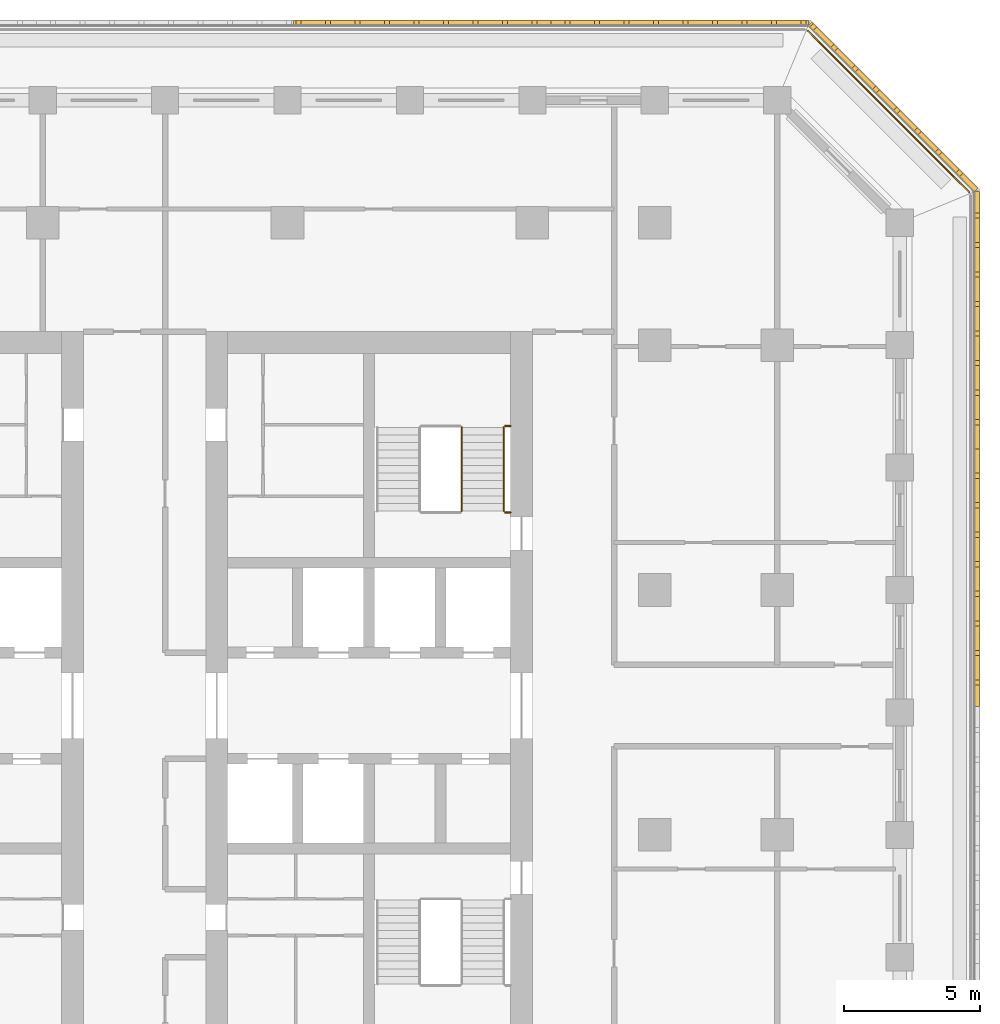
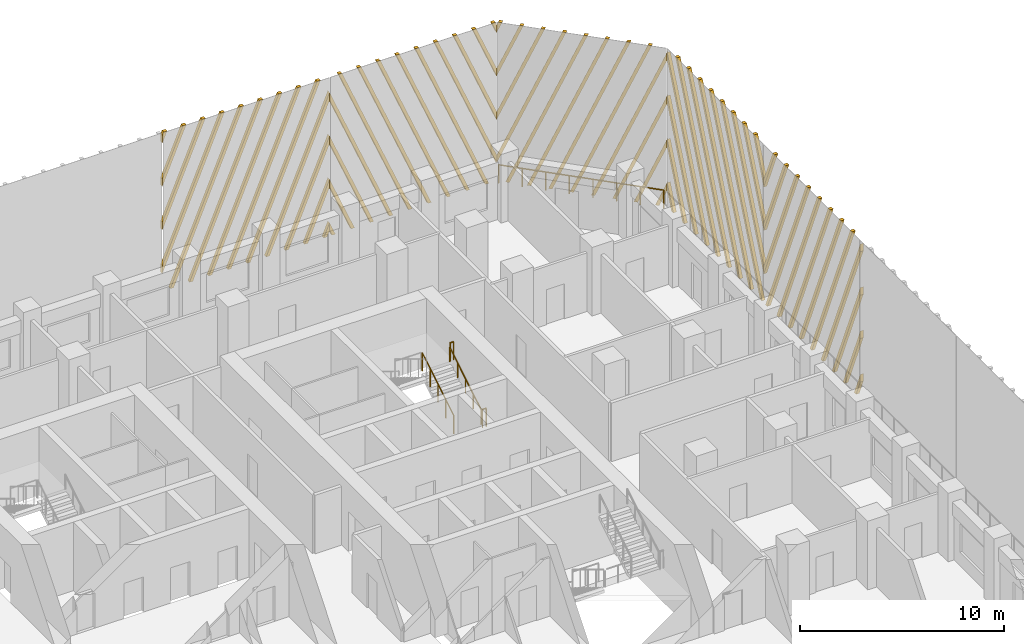
# One storey, part 16 of 17: 5 railings, 5 shading devices.
"""IFC4 building model written with IfcOpenShell, lengths in metres."""

import ifcopenshell
import ifcopenshell.guid

model = None  # the IFC model being written
_history = None  # IfcOwnerHistory: only IFC2X3 demands one
_inside = {}  # id of a spatial element -> (the spatial element, [elements in it])
_under = {}  # id of a project, library or spatial element -> (it, [spatial elements below it])
_declared = {}  # id of a project -> (the project, [libraries it declares])
_typed = {}  # id of a type object -> (the type object, [elements of that type])
_made_of = {}  # id of a material, layer set ... -> (it, [elements and type objects made of it])


def new_model(schema):
    """Start an empty IFC model of exactly this schema.

    Asked for "IFC4X3", IfcOpenShell would pick the latest addendum, in which some entities
    have other attributes; the version numbers below select the first issue.
    IFC2X3 requires an IfcOwnerHistory on every rooted entity: one is made here for all.
    """
    global model, _history
    if schema == "IFC4X3":
        model = ifcopenshell.file(schema_version=(4, 3, 0, 0))
    else:
        model = ifcopenshell.file(schema=schema)
    _inside.clear()
    _under.clear()
    _declared.clear()
    _typed.clear()
    _made_of.clear()
    _history = None
    if model.schema == "IFC2X3":
        org = make("IfcOrganization", Name="unknown")
        user = make(
            "IfcPersonAndOrganization",
            ThePerson=make("IfcPerson", FamilyName="unknown"),
            TheOrganization=org,
        )
        app = make(
            "IfcApplication",
            ApplicationDeveloper=org,
            Version="unknown",
            ApplicationFullName="unknown",
            ApplicationIdentifier="unknown",
        )
        _history = make(
            "IfcOwnerHistory",
            OwningUser=user,
            OwningApplication=app,
            ChangeAction="ADDED",
            CreationDate=0,
        )
    return model


def make(cls, **values):
    """One entity of the class cls with the attributes given. An attribute that is None is left unset."""
    return model.create_entity(
        cls, **{name: value for name, value in values.items() if value is not None}
    )


def rooted(cls, **values):
    """An entity with a GlobalId (a new one), such as an element, a storey or a relation."""
    return make(cls, GlobalId=ifcopenshell.guid.new(), OwnerHistory=_history, **values)


def si_unit(unit_type, name, prefix=None):
    """IfcSIUnit, for example si_unit("LENGTHUNIT", "METRE", prefix="MILLI")."""
    return make("IfcSIUnit", UnitType=unit_type, Prefix=prefix, Name=name)


def assignment(units):
    """IfcUnitAssignment: the units of a project."""
    return None if units is None else make("IfcUnitAssignment", Units=units)


def point(xyz):
    """IfcCartesianPoint."""
    return None if xyz is None else make("IfcCartesianPoint", Coordinates=xyz)


def direction(xyz):
    """IfcDirection."""
    return None if xyz is None else make("IfcDirection", DirectionRatios=xyz)


def frame(location, z_axis=None, x_axis=None):
    """IfcAxis2Placement3D, a coordinate frame: its origin and axes. An axis left out is left unset."""
    return make(
        "IfcAxis2Placement3D",
        Location=point(location),
        Axis=direction(z_axis),
        RefDirection=direction(x_axis),
    )


def frame_2d(location, x_axis=None):
    """IfcAxis2Placement2D, a coordinate frame in the plane: its origin and x axis."""
    return make(
        "IfcAxis2Placement2D", Location=point(location), RefDirection=direction(x_axis)
    )


def origin():
    """The frame at (0, 0, 0) with its axes left unset."""
    return frame((0.0, 0.0, 0.0))


def origin_2d():
    """The frame at (0, 0) in the plane with its x axis left unset."""
    return frame_2d((0.0, 0.0))


def place(relative_to, where):
    """IfcLocalPlacement: puts the frame where relative to a parent placement (None: the world)."""
    return make(
        "IfcLocalPlacement", PlacementRelTo=relative_to, RelativePlacement=where
    )


def context(
    kind, dimensions, precision=None, world=None, true_north=None, identifier=None
):
    """IfcGeometricRepresentationContext, for example the 3D "Model" context."""
    return make(
        "IfcGeometricRepresentationContext",
        ContextIdentifier=identifier,
        ContextType=kind,
        CoordinateSpaceDimension=dimensions,
        Precision=precision,
        WorldCoordinateSystem=world,
        TrueNorth=true_north,
    )


def subcontext(parent, identifier, kind, view, scale=None):
    """IfcGeometricRepresentationSubContext, for example "Body" below "Model"."""
    return make(
        "IfcGeometricRepresentationSubContext",
        ContextIdentifier=identifier,
        ContextType=kind,
        ParentContext=parent,
        TargetScale=scale,
        TargetView=view,
    )


def project(units=None, contexts=None):
    """IfcProject with its units and contexts."""
    return rooted(
        "IfcProject",
        Name="project",
        RepresentationContexts=contexts,
        UnitsInContext=assignment(units),
    )


def spatial(cls, under=None, at=None, **own):
    """A site, building, storey or space (cls), placed at a placement, below another one or the project."""
    s = rooted(cls, ObjectPlacement=at, **own)
    if under is not None:
        _under.setdefault(under.id(), (under, []))[1].append(s)
    return s


def polyline(points):
    """IfcPolyline through the points."""
    return make("IfcPolyline", Points=[point(p) for p in points])


def profile(cls, at=None, kind="AREA", **sizes):
    """A parametric profile (cls). Its sizes go by their IFC names, for example OverallWidth=200.0."""
    return make(cls, ProfileType=kind, Position=at, **sizes)


def circle(**sizes):
    """IfcCircleProfileDef."""
    return profile("IfcCircleProfileDef", **sizes)


def outline(outer, holes=None, kind="AREA"):
    """IfcArbitraryClosedProfileDef: a profile drawn as a closed curve; with holes, ...WithVoids."""
    if holes is None:
        return make("IfcArbitraryClosedProfileDef", ProfileType=kind, OuterCurve=outer)
    return make(
        "IfcArbitraryProfileDefWithVoids",
        ProfileType=kind,
        OuterCurve=outer,
        InnerCurves=holes,
    )


def extrude(swept, where, along, depth):
    """IfcExtrudedAreaSolid: the profile swept, set in the frame where, extruded along a direction by depth."""
    return make(
        "IfcExtrudedAreaSolid",
        SweptArea=swept,
        Position=where,
        ExtrudedDirection=direction(along),
        Depth=depth,
    )


def shape(context_of_items, identifier, shape_type, items):
    """IfcShapeRepresentation: the items that make up one representation, for example the "Body"."""
    return make(
        "IfcShapeRepresentation",
        ContextOfItems=context_of_items,
        RepresentationIdentifier=identifier,
        RepresentationType=shape_type,
        Items=items,
    )


def source(mapping_origin, context_of_items, identifier, shape_type, items):
    """IfcRepresentationMap: a shape defined once, which mapped items show again and again."""
    return make(
        "IfcRepresentationMap",
        MappingOrigin=mapping_origin,
        MappedRepresentation=shape(context_of_items, identifier, shape_type, items),
    )


def transform(
    local_origin,
    x_axis=None,
    y_axis=None,
    z_axis=None,
    scale=None,
    scale2=None,
    scale3=None,
    uniform=True,
):
    """IfcCartesianTransformationOperator3D, or its non-uniform kind. x_axis, y_axis, z_axis: its Axis1, 2, 3."""
    if uniform:
        return make(
            "IfcCartesianTransformationOperator3D",
            Axis1=direction(x_axis),
            Axis2=direction(y_axis),
            LocalOrigin=point(local_origin),
            Scale=scale,
            Axis3=direction(z_axis),
        )
    return make(
        "IfcCartesianTransformationOperator3DnonUniform",
        Axis1=direction(x_axis),
        Axis2=direction(y_axis),
        LocalOrigin=point(local_origin),
        Scale=scale,
        Axis3=direction(z_axis),
        Scale2=scale2,
        Scale3=scale3,
    )


def mapped(mapping_source, mapping_target):
    """IfcMappedItem: shows the shape of a source again, moved by a transform."""
    return make(
        "IfcMappedItem", MappingSource=mapping_source, MappingTarget=mapping_target
    )


def material(Name=None, Category=None):
    """IfcMaterial."""
    return make("IfcMaterial", Name=Name, Category=Category)


def made_of(thing, what):
    """Note that an element or type object is made of a material, layer set ...; save() writes the relation."""
    if what is not None:
        _made_of.setdefault(what.id(), (what, []))[1].append(thing)
    return thing


def type_object(cls, material=None, **own):
    """A type object (cls), such as IfcWallType, which elements share."""
    return made_of(rooted(cls, **own), material)


def element(
    cls,
    number,
    at=None,
    inside=None,
    cuts=None,
    type_object=None,
    material=None,
    context=None,
    identifier="Body",
    shape_type=None,
    held_by="IfcProductDefinitionShape",
    body=None,
    shapes=None,
    **own,
):
    """One element of the class cls, such as IfcWall. Its Tag is "e" and its number.

    at: its placement. inside: the storey or other place that contains it. cuts: it is an
    opening in that element (IfcRelVoidsElement). A single representation is given by context,
    identifier, shape_type and body (its items); several are given by shapes. held_by: the class
    of the entity that holds the representations. save() writes the other relations.
    """
    e = rooted(cls, Tag="e%d" % number, ObjectPlacement=at, **own)
    if body is not None:
        shapes = [shape(context, identifier, shape_type, body)]
    if shapes is not None:
        e.Representation = make(held_by, Representations=shapes)
    if inside is not None:
        _inside.setdefault(inside.id(), (inside, []))[1].append(e)
    if cuts is not None:
        rooted(
            "IfcRelVoidsElement", RelatingBuildingElement=cuts, RelatedOpeningElement=e
        )
    if type_object is not None:
        _typed.setdefault(type_object.id(), (type_object, []))[1].append(e)
    return made_of(e, material)


def aggregate(whole, parts):
    """IfcRelAggregates: a whole, such as a stair, and the parts it consists of."""
    return rooted("IfcRelAggregates", RelatingObject=whole, RelatedObjects=parts)


def save(model, path):
    """Write the relations noted so far, then the file.

    IfcRelAggregates (storeys below a building ...), IfcRelContainedInSpatialStructure (elements
    in a storey), IfcRelDefinesByType, IfcRelAssociatesMaterial and IfcRelDeclares: one each for
    every whole, place, type object, material and project.
    """
    for whole, parts in _under.values():
        aggregate(whole, parts)
    for where, things in _inside.values():
        rooted(
            "IfcRelContainedInSpatialStructure",
            RelatedElements=things,
            RelatingStructure=where,
        )
    for kind, things in _typed.values():
        rooted("IfcRelDefinesByType", RelatedObjects=things, RelatingType=kind)
    for what, things in _made_of.values():
        rooted("IfcRelAssociatesMaterial", RelatedObjects=things, RelatingMaterial=what)
    for by, libraries in _declared.values():
        rooted("IfcRelDeclares", RelatingContext=by, RelatedDefinitions=libraries)
    model.write(path)


model = new_model("IFC4")

# Units and contexts
model_context = context("Model", 3, precision=1e-05, world=origin(), true_north=direction((0.0, 1.0)))
body_context = subcontext(model_context, "Body", "Model", "MODEL_VIEW")
ifc_project = project(units=[si_unit("LENGTHUNIT", "METRE"), si_unit("AREAUNIT", "SQUARE_METRE"), si_unit("VOLUMEUNIT", "CUBIC_METRE"), si_unit("PLANEANGLEUNIT", "RADIAN"), si_unit("MASSUNIT", "GRAM", prefix="KILO")], contexts=[model_context])

# Site, building, storey
site_placement = place(None, origin())
site = spatial("IfcSite", under=ifc_project, at=site_placement, CompositionType="ELEMENT")
building_placement = place(site_placement, origin())
building = spatial("IfcBuilding", under=site, at=building_placement, Name="Corbel Stack Research Tower", CompositionType="ELEMENT")
storey_placement = place(building_placement, frame((0.0, 0.0, 216.10009765625)))
storey = spatial("IfcBuildingStorey", under=building, at=storey_placement, Name="L49", CompositionType="ELEMENT", Elevation=216.10009765625)

# Railings
ifc_material_1 = material(Name="Steel S355", Category="steel")
railing_type_1 = type_object("IfcRailingType", Name="Stair guard 1100", PredefinedType="GUARDRAIL", material=ifc_material_1)
railing_1_placement = place(storey_placement, frame((15.39990234375, 11.89990234375, 0.170654296875)))
element("IfcRailing", 1, at=railing_1_placement, inside=storey, type_object=railing_type_1, Name="L49 ST-E2 stair guard 1", PredefinedType="GUARDRAIL", context=body_context, shape_type="SweptSolid", body=[
    extrude(circle(Radius=0.02392578125, at=origin_2d()), frame((0.0, 0.0, 1.076171875), z_axis=(0.0, 0.853666305674, 0.52082035152), x_axis=(-1.0, 0.0, 0.0)), (0.0, 0.0, 1.0), 3.608154296875),
    extrude(circle(Radius=0.02099609375, at=origin_2d()), origin(), (0.0, 0.0, 1.0), 1.052001953125),
    extrude(circle(Radius=0.02099609375, at=origin_2d()), frame((0.0, 0.77001953125, 0.4697265625)), (0.0, 0.0, 1.0), 1.052001953125),
    extrude(circle(Radius=0.02099609375, at=origin_2d()), frame((0.0, 1.5400390625, 0.939453125)), (0.0, 0.0, 1.0), 1.052001953125),
    extrude(circle(Radius=0.02099609375, at=origin_2d()), frame((0.0, 2.31005859375, 1.409423828125)), (0.0, 0.0, 1.0), 1.052001953125),
    extrude(circle(Radius=0.02099609375, at=origin_2d()), frame((0.0, 3.080078125, 1.879150390625)), (0.0, 0.0, 1.0), 1.052001953125),
])
for number, where, name in (
    (2, (17.199951171875, 15.030029296875, 2.0498046875), "L49 ST-E2 stair guard 3"),
    (3, (17.199951171875, 11.85009765625, 0.0), "L49 ST-E2 stair guard 6"),
):
    element("IfcRailing", number, at=place(storey_placement, frame(where)), inside=storey, type_object=railing_type_1, Name=name, PredefinedType="GUARDRAIL", context=body_context, shape_type="SweptSolid", body=[
        extrude(circle(Radius=0.02392578125, at=origin_2d()), frame((0.0, 0.0, 1.076171875), z_axis=(-1.0, 0.0, 0.0), x_axis=(0.0, -1.0, 0.0)), (0.0, 0.0, 1.0), 0.199951171875),
        extrude(circle(Radius=0.02099609375, at=origin_2d()), origin(), (0.0, 0.0, 1.0), 1.052001953125),
        extrude(circle(Radius=0.02099609375, at=origin_2d()), frame((-0.199951171875, 0.0, 0.0)), (0.0, 0.0, 1.0), 1.052001953125),
    ])
ifc_material_2 = material(Name="Steel S355", Category="steel")
railing_type_2 = type_object("IfcRailingType", Name="Stair handrail 900", PredefinedType="HANDRAIL", material=ifc_material_2)
railing_2_placement = place(storey_placement, frame((16.949951171875, 11.89990234375, 0.170654296875)))
element("IfcRailing", 4, at=railing_2_placement, inside=storey, type_object=railing_type_2, Name="L49 ST-E2 stair handrail 1", PredefinedType="HANDRAIL", context=body_context, shape_type="SweptSolid", body=[
    extrude(circle(Radius=0.02392578125, at=origin_2d()), frame((0.0, 0.0, 0.8759765625), z_axis=(0.0, 0.853666305674, 0.52082035152), x_axis=(-1.0, 0.0, 0.0)), (0.0, 0.0, 1.0), 3.608154296875),
    extrude(circle(Radius=0.02099609375, at=origin_2d()), origin(), (0.0, 0.0, 1.0), 0.851806640625),
    extrude(circle(Radius=0.02099609375, at=origin_2d()), frame((0.0, 0.77001953125, 0.4697265625)), (0.0, 0.0, 1.0), 0.851806640625),
    extrude(circle(Radius=0.02099609375, at=origin_2d()), frame((0.0, 1.5400390625, 0.939453125)), (0.0, 0.0, 1.0), 0.851806640625),
    extrude(circle(Radius=0.02099609375, at=origin_2d()), frame((0.0, 2.31005859375, 1.409423828125)), (0.0, 0.0, 1.0), 0.851806640625),
    extrude(circle(Radius=0.02099609375, at=origin_2d()), frame((0.0, 3.080078125, 1.879150390625)), (0.0, 0.0, 1.0), 0.851806640625),
])
ifc_material_3 = material(Name="Powder-coated steel guard", Category="steel")
railing_type_3 = type_object("IfcRailingType", Name="Steel and glass guard 1100", PredefinedType="GUARDRAIL", material=ifc_material_3)
railing_3_placement = place(storey_placement, frame((34.04931640625, 23.627685546875, 0.0)))
element("IfcRailing", 5, at=railing_3_placement, inside=storey, type_object=railing_type_3, Name="Loggia guard L49 NE", PredefinedType="GUARDRAIL", context=body_context, shape_type="SweptSolid", body=[
    extrude(circle(Radius=0.02392578125, at=origin_2d()), frame((0.0, 0.0, 1.076171875), z_axis=(-0.707106781187, 0.707106781187, 0.0), x_axis=(-0.707106781187, -0.707106781187, 0.0)), (0.0, 0.0, 1.0), 8.37451171875),
    extrude(circle(Radius=0.02099609375, at=origin_2d()), origin(), (0.0, 0.0, 1.0), 1.052001953125),
    extrude(circle(Radius=0.02099609375, at=origin_2d()), frame((-0.845947265625, 0.845947265625, 0.0)), (0.0, 0.0, 1.0), 1.052001953125),
    extrude(circle(Radius=0.02099609375, at=origin_2d()), frame((-1.69189453125, 1.69189453125, 0.0)), (0.0, 0.0, 1.0), 1.052001953125),
    extrude(circle(Radius=0.02099609375, at=origin_2d()), frame((-2.537841796875, 2.537841796875, 0.0)), (0.0, 0.0, 1.0), 1.052001953125),
    extrude(circle(Radius=0.02099609375, at=origin_2d()), frame((-3.3837890625, 3.3837890625, 0.0)), (0.0, 0.0, 1.0), 1.052001953125),
    extrude(circle(Radius=0.02099609375, at=origin_2d()), frame((-4.229736328125, 4.229736328125, 0.0)), (0.0, 0.0, 1.0), 1.052001953125),
    extrude(circle(Radius=0.02099609375, at=origin_2d()), frame((-5.07568359375, 5.07568359375, 0.0)), (0.0, 0.0, 1.0), 1.052001953125),
    extrude(circle(Radius=0.02099609375, at=origin_2d()), frame((-5.921630859375, 5.921630859375, 0.0)), (0.0, 0.0, 1.0), 1.052001953125),
])

# Shading devices
ifc_material_4 = material(Name="Precast terracotta", Category="masonry")
shading_device_type = type_object("IfcShadingDeviceType", Name="Terracotta screen panel", PredefinedType="USERDEFINED", material=ifc_material_4)
shared_shape_1 = source(origin(), body_context, "Body", "SweptSolid", [
    extrude(outline(polyline([(1.07958984375, 9.5), (0.8896484375, 9.5), (0.0, 7.36962890625), (0.0, 6.914794921875), (1.07958984375, 9.5)])), frame((0.0, 0.0, 0.0), z_axis=(0.0, -1.0, 0.0), x_axis=(1.0, 0.0, 0.0)), (0.0, 0.0, 1.0), 0.179931640625),
    extrude(outline(polyline([(2.164306640625, 9.5), (1.974365234375, 9.5), (0.0, 4.7724609375), (0.0, 4.317626953125), (2.164306640625, 9.5)])), frame((0.0, 0.0, 0.0), z_axis=(0.0, -1.0, 0.0), x_axis=(1.0, 0.0, 0.0)), (0.0, 0.0, 1.0), 0.179931640625),
    extrude(outline(polyline([(3.2490234375, 9.5), (3.05908203125, 9.5), (0.0, 2.17529296875), (0.0, 1.720458984375), (3.2490234375, 9.5)])), frame((0.0, 0.0, 0.0), z_axis=(0.0, -1.0, 0.0), x_axis=(1.0, 0.0, 0.0)), (0.0, 0.0, 1.0), 0.179931640625),
    extrude(outline(polyline([(0.3662109375, 0.0), (4.333740234375, 9.5), (4.143798828125, 9.5), (0.17626953125, 0.0), (0.3662109375, 0.0)])), frame((0.0, 0.0, 0.0), z_axis=(0.0, -1.0, 0.0), x_axis=(1.0, 0.0, 0.0)), (0.0, 0.0, 1.0), 0.179931640625),
    extrude(outline(polyline([(1.45068359375, 0.0), (5.418212890625, 9.5), (5.228271484375, 9.5), (1.2607421875, 0.0), (1.45068359375, 0.0)])), frame((0.0, 0.0, 0.0), z_axis=(0.0, -1.0, 0.0), x_axis=(1.0, 0.0, 0.0)), (0.0, 0.0, 1.0), 0.179931640625),
    extrude(outline(polyline([(2.535400390625, 0.0), (6.5029296875, 9.5), (6.31298828125, 9.5), (2.345458984375, 0.0), (2.535400390625, 0.0)])), frame((0.0, 0.0, 0.0), z_axis=(0.0, -1.0, 0.0), x_axis=(1.0, 0.0, 0.0)), (0.0, 0.0, 1.0), 0.179931640625),
    extrude(outline(polyline([(3.6201171875, 0.0), (7.587646484375, 9.5), (7.397705078125, 9.5), (3.43017578125, 0.0), (3.6201171875, 0.0)])), frame((0.0, 0.0, 0.0), z_axis=(0.0, -1.0, 0.0), x_axis=(1.0, 0.0, 0.0)), (0.0, 0.0, 1.0), 0.179931640625),
    extrude(outline(polyline([(4.704833984375, 0.0), (8.67236328125, 9.5), (8.482421875, 9.5), (4.514892578125, 0.0), (4.704833984375, 0.0)])), frame((0.0, 0.0, 0.0), z_axis=(0.0, -1.0, 0.0), x_axis=(1.0, 0.0, 0.0)), (0.0, 0.0, 1.0), 0.179931640625),
    extrude(outline(polyline([(5.78955078125, 0.0), (9.45556640625, 8.7783203125), (9.45556640625, 9.2333984375), (5.599609375, 0.0), (5.78955078125, 0.0)])), frame((0.0, 0.0, 0.0), z_axis=(0.0, -1.0, 0.0), x_axis=(1.0, 0.0, 0.0)), (0.0, 0.0, 1.0), 0.179931640625),
    extrude(outline(polyline([(6.874267578125, 0.0), (9.45556640625, 6.18115234375), (9.45556640625, 6.63623046875), (6.68408203125, 0.0), (6.874267578125, 0.0)])), frame((0.0, 0.0, 0.0), z_axis=(0.0, -1.0, 0.0), x_axis=(1.0, 0.0, 0.0)), (0.0, 0.0, 1.0), 0.179931640625),
    extrude(outline(polyline([(7.958740234375, 0.0), (9.45556640625, 3.583984375), (9.45556640625, 4.0390625), (7.768798828125, 0.0), (7.958740234375, 0.0)])), frame((0.0, 0.0, 0.0), z_axis=(0.0, -1.0, 0.0), x_axis=(1.0, 0.0, 0.0)), (0.0, 0.0, 1.0), 0.179931640625),
    extrude(outline(polyline([(9.04345703125, 0.0), (9.45556640625, 0.98681640625), (9.45556640625, 1.44189453125), (8.853515625, 0.0), (9.04345703125, 0.0)])), frame((0.0, 0.0, 0.0), z_axis=(0.0, -1.0, 0.0), x_axis=(1.0, 0.0, 0.0)), (0.0, 0.0, 1.0), 0.179931640625),
])
shading_device_1_placement = place(storey_placement, frame((34.25, 14.18359375, 0.0), z_axis=(0.0, 0.0, 1.0), x_axis=(0.0, 1.0, 0.0)))
element("IfcShadingDevice", 6, at=shading_device_1_placement, inside=storey, type_object=shading_device_type, Name="Terracotta screen L49 E5", ObjectType="SCREEN", PredefinedType="USERDEFINED", context=body_context, shape_type="MappedRepresentation", body=[
    mapped(shared_shape_1, transform((0.0, 0.0, 0.0))),
])
shared_shape_2 = source(origin(), body_context, "Body", "SweptSolid", [
    extrude(outline(polyline([(0.60205078125, 0.0), (0.0, 1.44189453125), (0.0, 0.98681640625), (0.412109375, 0.0), (0.60205078125, 0.0)])), frame((0.0, 0.0, 0.0), z_axis=(0.0, -1.0, 0.0), x_axis=(1.0, 0.0, 0.0)), (0.0, 0.0, 1.0), 0.179931640625),
    extrude(outline(polyline([(1.686767578125, 0.0), (0.0, 4.0390625), (0.0, 3.583984375), (1.496826171875, 0.0), (1.686767578125, 0.0)])), frame((0.0, 0.0, 0.0), z_axis=(0.0, -1.0, 0.0), x_axis=(1.0, 0.0, 0.0)), (0.0, 0.0, 1.0), 0.179931640625),
    extrude(outline(polyline([(2.771484375, 0.0), (0.0, 6.63623046875), (0.0, 6.18115234375), (2.58154296875, 0.0), (2.771484375, 0.0)])), frame((0.0, 0.0, 0.0), z_axis=(0.0, -1.0, 0.0), x_axis=(1.0, 0.0, 0.0)), (0.0, 0.0, 1.0), 0.179931640625),
    extrude(outline(polyline([(3.856201171875, 0.0), (0.0, 9.2333984375), (0.0, 8.7783203125), (3.666015625, 0.0), (3.856201171875, 0.0)])), frame((0.0, 0.0, 0.0), z_axis=(0.0, -1.0, 0.0), x_axis=(1.0, 0.0, 0.0)), (0.0, 0.0, 1.0), 0.179931640625),
    extrude(outline(polyline([(4.94091796875, 0.0), (0.973388671875, 9.5), (0.783203125, 9.5), (4.750732421875, 0.0), (4.94091796875, 0.0)])), frame((0.0, 0.0, 0.0), z_axis=(0.0, -1.0, 0.0), x_axis=(1.0, 0.0, 0.0)), (0.0, 0.0, 1.0), 0.179931640625),
    extrude(outline(polyline([(6.025390625, 0.0), (2.05810546875, 9.5), (1.867919921875, 9.5), (5.83544921875, 0.0), (6.025390625, 0.0)])), frame((0.0, 0.0, 0.0), z_axis=(0.0, -1.0, 0.0), x_axis=(1.0, 0.0, 0.0)), (0.0, 0.0, 1.0), 0.179931640625),
    extrude(outline(polyline([(7.110107421875, 0.0), (3.142578125, 9.5), (2.95263671875, 9.5), (6.920166015625, 0.0), (7.110107421875, 0.0)])), frame((0.0, 0.0, 0.0), z_axis=(0.0, -1.0, 0.0), x_axis=(1.0, 0.0, 0.0)), (0.0, 0.0, 1.0), 0.179931640625),
    extrude(outline(polyline([(8.19482421875, 0.0), (4.227294921875, 9.5), (4.037353515625, 9.5), (8.0048828125, 0.0), (8.19482421875, 0.0)])), frame((0.0, 0.0, 0.0), z_axis=(0.0, -1.0, 0.0), x_axis=(1.0, 0.0, 0.0)), (0.0, 0.0, 1.0), 0.179931640625),
    extrude(outline(polyline([(9.279541015625, 0.0), (5.31201171875, 9.5), (5.1220703125, 9.5), (9.089599609375, 0.0), (9.279541015625, 0.0)])), frame((0.0, 0.0, 0.0), z_axis=(0.0, -1.0, 0.0), x_axis=(1.0, 0.0, 0.0)), (0.0, 0.0, 1.0), 0.179931640625),
    extrude(outline(polyline([(6.396484375, 9.5), (6.20654296875, 9.5), (9.45556640625, 1.720458984375), (9.45556640625, 2.17529296875), (6.396484375, 9.5)])), frame((0.0, 0.0, 0.0), z_axis=(0.0, -1.0, 0.0), x_axis=(1.0, 0.0, 0.0)), (0.0, 0.0, 1.0), 0.179931640625),
    extrude(outline(polyline([(7.481201171875, 9.5), (7.291259765625, 9.5), (9.45556640625, 4.317626953125), (9.45556640625, 4.7724609375), (7.481201171875, 9.5)])), frame((0.0, 0.0, 0.0), z_axis=(0.0, -1.0, 0.0), x_axis=(1.0, 0.0, 0.0)), (0.0, 0.0, 1.0), 0.179931640625),
    extrude(outline(polyline([(8.56591796875, 9.5), (8.3759765625, 9.5), (9.45556640625, 6.914794921875), (9.45556640625, 7.36962890625), (8.56591796875, 9.5)])), frame((0.0, 0.0, 0.0), z_axis=(0.0, -1.0, 0.0), x_axis=(1.0, 0.0, 0.0)), (0.0, 0.0, 1.0), 0.179931640625),
])
shading_device_2_placement = place(storey_placement, frame((34.25, 4.727783203125, 0.0), z_axis=(0.0, 0.0, 1.0), x_axis=(0.0, 1.0, 0.0)))
element("IfcShadingDevice", 7, at=shading_device_2_placement, inside=storey, type_object=shading_device_type, Name="Terracotta screen L49 E4", ObjectType="SCREEN", PredefinedType="USERDEFINED", context=body_context, shape_type="MappedRepresentation", body=[
    mapped(shared_shape_2, transform((0.0, 0.0, 0.0))),
])
shared_shape_3 = source(origin(), body_context, "Body", "SweptSolid", [
    extrude(outline(polyline([(0.60205078125, 0.0), (0.0, 1.44189453125), (0.0, 0.98681640625), (0.412109375, 0.0), (0.60205078125, 0.0)])), frame((0.0, 0.0, 0.0), z_axis=(0.0, -1.0, 0.0), x_axis=(1.0, 0.0, 0.0)), (0.0, 0.0, 1.0), 0.179931640625),
    extrude(outline(polyline([(1.686767578125, 0.0), (0.0, 4.0390625), (0.0, 3.583984375), (1.496826171875, 0.0), (1.686767578125, 0.0)])), frame((0.0, 0.0, 0.0), z_axis=(0.0, -1.0, 0.0), x_axis=(1.0, 0.0, 0.0)), (0.0, 0.0, 1.0), 0.179931640625),
    extrude(outline(polyline([(2.771484375, 0.0), (0.0, 6.63623046875), (0.0, 6.18115234375), (2.58154296875, 0.0), (2.771484375, 0.0)])), frame((0.0, 0.0, 0.0), z_axis=(0.0, -1.0, 0.0), x_axis=(1.0, 0.0, 0.0)), (0.0, 0.0, 1.0), 0.179931640625),
    extrude(outline(polyline([(3.856201171875, 0.0), (0.0, 9.2333984375), (0.0, 8.7783203125), (3.666015625, 0.0), (3.856201171875, 0.0)])), frame((0.0, 0.0, 0.0), z_axis=(0.0, -1.0, 0.0), x_axis=(1.0, 0.0, 0.0)), (0.0, 0.0, 1.0), 0.179931640625),
    extrude(outline(polyline([(4.94091796875, 0.0), (0.973388671875, 9.5), (0.783203125, 9.5), (4.750732421875, 0.0), (4.94091796875, 0.0)])), frame((0.0, 0.0, 0.0), z_axis=(0.0, -1.0, 0.0), x_axis=(1.0, 0.0, 0.0)), (0.0, 0.0, 1.0), 0.179931640625),
    extrude(outline(polyline([(6.025390625, 0.0), (2.05810546875, 9.5), (1.867919921875, 9.5), (5.83544921875, 0.0), (6.025390625, 0.0)])), frame((0.0, 0.0, 0.0), z_axis=(0.0, -1.0, 0.0), x_axis=(1.0, 0.0, 0.0)), (0.0, 0.0, 1.0), 0.179931640625),
    extrude(outline(polyline([(7.110107421875, 0.0), (3.142578125, 9.5), (2.95263671875, 9.5), (6.920166015625, 0.0), (7.110107421875, 0.0)])), frame((0.0, 0.0, 0.0), z_axis=(0.0, -1.0, 0.0), x_axis=(1.0, 0.0, 0.0)), (0.0, 0.0, 1.0), 0.179931640625),
    extrude(outline(polyline([(8.19482421875, 0.0), (4.227294921875, 9.5), (4.037353515625, 9.5), (8.0048828125, 0.0), (8.19482421875, 0.0)])), frame((0.0, 0.0, 0.0), z_axis=(0.0, -1.0, 0.0), x_axis=(1.0, 0.0, 0.0)), (0.0, 0.0, 1.0), 0.179931640625),
    extrude(outline(polyline([(5.31201171875, 9.5), (5.1220703125, 9.5), (8.64208984375, 1.071044921875), (8.64208984375, 1.526123046875), (5.31201171875, 9.5)])), frame((0.0, 0.0, 0.0), z_axis=(0.0, -1.0, 0.0), x_axis=(1.0, 0.0, 0.0)), (0.0, 0.0, 1.0), 0.179931640625),
    extrude(outline(polyline([(6.396484375, 9.5), (6.20654296875, 9.5), (8.64208984375, 3.668212890625), (8.64208984375, 4.123291015625), (6.396484375, 9.5)])), frame((0.0, 0.0, 0.0), z_axis=(0.0, -1.0, 0.0), x_axis=(1.0, 0.0, 0.0)), (0.0, 0.0, 1.0), 0.179931640625),
    extrude(outline(polyline([(7.481201171875, 9.5), (7.291259765625, 9.5), (8.64208984375, 6.265380859375), (8.64208984375, 6.720458984375), (7.481201171875, 9.5)])), frame((0.0, 0.0, 0.0), z_axis=(0.0, -1.0, 0.0), x_axis=(1.0, 0.0, 0.0)), (0.0, 0.0, 1.0), 0.179931640625),
    extrude(outline(polyline([(8.56591796875, 9.5), (8.3759765625, 9.5), (8.64208984375, 8.862548828125), (8.64208984375, 9.317626953125), (8.56591796875, 9.5)])), frame((0.0, 0.0, 0.0), z_axis=(0.0, -1.0, 0.0), x_axis=(1.0, 0.0, 0.0)), (0.0, 0.0, 1.0), 0.179931640625),
])
shading_device_3_placement = place(storey_placement, frame((34.25, 23.63916015625, 0.0), z_axis=(0.0, 0.0, 1.0), x_axis=(-0.707106781187, 0.707106781187, 0.0)))
element("IfcShadingDevice", 8, at=shading_device_3_placement, inside=storey, type_object=shading_device_type, Name="Terracotta screen L49 NE1", ObjectType="SCREEN", PredefinedType="USERDEFINED", context=body_context, shape_type="MappedRepresentation", body=[
    mapped(shared_shape_3, transform((0.0, 0.0, 0.0))),
])
shared_shape_4 = source(origin(), body_context, "Body", "SweptSolid", [
    extrude(outline(polyline([(0.26611328125, 9.5), (0.076171875, 9.5), (0.0, 9.317626953125), (0.0, 8.862548828125), (0.26611328125, 9.5)])), frame((0.0, 0.0, 0.0), z_axis=(0.0, -1.0, 0.0), x_axis=(1.0, 0.0, 0.0)), (0.0, 0.0, 1.0), 0.179931640625),
    extrude(outline(polyline([(1.350830078125, 9.5), (1.160888671875, 9.5), (0.0, 6.720458984375), (0.0, 6.265380859375), (1.350830078125, 9.5)])), frame((0.0, 0.0, 0.0), z_axis=(0.0, -1.0, 0.0), x_axis=(1.0, 0.0, 0.0)), (0.0, 0.0, 1.0), 0.179931640625),
    extrude(outline(polyline([(2.435546875, 9.5), (2.24560546875, 9.5), (0.0, 4.123291015625), (0.0, 3.668212890625), (2.435546875, 9.5)])), frame((0.0, 0.0, 0.0), z_axis=(0.0, -1.0, 0.0), x_axis=(1.0, 0.0, 0.0)), (0.0, 0.0, 1.0), 0.179931640625),
    extrude(outline(polyline([(3.520263671875, 9.5), (3.330078125, 9.5), (0.0, 1.526123046875), (0.0, 1.071044921875), (3.520263671875, 9.5)])), frame((0.0, 0.0, 0.0), z_axis=(0.0, -1.0, 0.0), x_axis=(1.0, 0.0, 0.0)), (0.0, 0.0, 1.0), 0.179931640625),
    extrude(outline(polyline([(0.63720703125, 0.0), (4.604736328125, 9.5), (4.414794921875, 9.5), (0.447265625, 0.0), (0.63720703125, 0.0)])), frame((0.0, 0.0, 0.0), z_axis=(0.0, -1.0, 0.0), x_axis=(1.0, 0.0, 0.0)), (0.0, 0.0, 1.0), 0.179931640625),
    extrude(outline(polyline([(1.721923828125, 0.0), (5.689453125, 9.5), (5.49951171875, 9.5), (1.531982421875, 0.0), (1.721923828125, 0.0)])), frame((0.0, 0.0, 0.0), z_axis=(0.0, -1.0, 0.0), x_axis=(1.0, 0.0, 0.0)), (0.0, 0.0, 1.0), 0.179931640625),
    extrude(outline(polyline([(2.806640625, 0.0), (6.774169921875, 9.5), (6.584228515625, 9.5), (2.61669921875, 0.0), (2.806640625, 0.0)])), frame((0.0, 0.0, 0.0), z_axis=(0.0, -1.0, 0.0), x_axis=(1.0, 0.0, 0.0)), (0.0, 0.0, 1.0), 0.179931640625),
    extrude(outline(polyline([(3.891357421875, 0.0), (7.85888671875, 9.5), (7.668701171875, 9.5), (3.701416015625, 0.0), (3.891357421875, 0.0)])), frame((0.0, 0.0, 0.0), z_axis=(0.0, -1.0, 0.0), x_axis=(1.0, 0.0, 0.0)), (0.0, 0.0, 1.0), 0.179931640625),
    extrude(outline(polyline([(4.97607421875, 0.0), (8.943603515625, 9.5), (8.75341796875, 9.5), (4.785888671875, 0.0), (4.97607421875, 0.0)])), frame((0.0, 0.0, 0.0), z_axis=(0.0, -1.0, 0.0), x_axis=(1.0, 0.0, 0.0)), (0.0, 0.0, 1.0), 0.179931640625),
    extrude(outline(polyline([(6.060791015625, 0.0), (9.45556640625, 8.129150390625), (9.45556640625, 8.583984375), (5.87060546875, 0.0), (6.060791015625, 0.0)])), frame((0.0, 0.0, 0.0), z_axis=(0.0, -1.0, 0.0), x_axis=(1.0, 0.0, 0.0)), (0.0, 0.0, 1.0), 0.179931640625),
    extrude(outline(polyline([(7.145263671875, 0.0), (9.45556640625, 5.531982421875), (9.45556640625, 5.98681640625), (6.955322265625, 0.0), (7.145263671875, 0.0)])), frame((0.0, 0.0, 0.0), z_axis=(0.0, -1.0, 0.0), x_axis=(1.0, 0.0, 0.0)), (0.0, 0.0, 1.0), 0.179931640625),
    extrude(outline(polyline([(8.22998046875, 0.0), (9.45556640625, 2.934814453125), (9.45556640625, 3.3896484375), (8.0400390625, 0.0), (8.22998046875, 0.0)])), frame((0.0, 0.0, 0.0), z_axis=(0.0, -1.0, 0.0), x_axis=(1.0, 0.0, 0.0)), (0.0, 0.0, 1.0), 0.179931640625),
    extrude(outline(polyline([(9.314697265625, 0.0), (9.45556640625, 0.337646484375), (9.45556640625, 0.79248046875), (9.124755859375, 0.0), (9.314697265625, 0.0)])), frame((0.0, 0.0, 0.0), z_axis=(0.0, -1.0, 0.0), x_axis=(1.0, 0.0, 0.0)), (0.0, 0.0, 1.0), 0.179931640625),
])
shading_device_4_placement = place(storey_placement, frame((28.13916015625, 29.75, 0.0), z_axis=(0.0, 0.0, 1.0), x_axis=(-1.0, 0.0, 0.0)))
element("IfcShadingDevice", 9, at=shading_device_4_placement, inside=storey, type_object=shading_device_type, Name="Terracotta screen L49 N1", ObjectType="SCREEN", PredefinedType="USERDEFINED", context=body_context, shape_type="MappedRepresentation", body=[
    mapped(shared_shape_4, transform((0.0, 0.0, 0.0))),
])
shared_shape_5 = source(origin(), body_context, "Body", "SweptSolid", [
    extrude(outline(polyline([(0.3310546875, 0.0), (0.0, 0.79248046875), (0.0, 0.337646484375), (0.14111328125, 0.0), (0.3310546875, 0.0)])), frame((0.0, 0.0, 0.0), z_axis=(0.0, -1.0, 0.0), x_axis=(1.0, 0.0, 0.0)), (0.0, 0.0, 1.0), 0.179931640625),
    extrude(outline(polyline([(1.41552734375, 0.0), (0.0, 3.3896484375), (0.0, 2.934814453125), (1.2255859375, 0.0), (1.41552734375, 0.0)])), frame((0.0, 0.0, 0.0), z_axis=(0.0, -1.0, 0.0), x_axis=(1.0, 0.0, 0.0)), (0.0, 0.0, 1.0), 0.179931640625),
    extrude(outline(polyline([(2.500244140625, 0.0), (0.0, 5.98681640625), (0.0, 5.531982421875), (2.310302734375, 0.0), (2.500244140625, 0.0)])), frame((0.0, 0.0, 0.0), z_axis=(0.0, -1.0, 0.0), x_axis=(1.0, 0.0, 0.0)), (0.0, 0.0, 1.0), 0.179931640625),
    extrude(outline(polyline([(3.5849609375, 0.0), (0.0, 8.583984375), (0.0, 8.129150390625), (3.39501953125, 0.0), (3.5849609375, 0.0)])), frame((0.0, 0.0, 0.0), z_axis=(0.0, -1.0, 0.0), x_axis=(1.0, 0.0, 0.0)), (0.0, 0.0, 1.0), 0.179931640625),
    extrude(outline(polyline([(4.669677734375, 0.0), (0.7021484375, 9.5), (0.51220703125, 9.5), (4.4794921875, 0.0), (4.669677734375, 0.0)])), frame((0.0, 0.0, 0.0), z_axis=(0.0, -1.0, 0.0), x_axis=(1.0, 0.0, 0.0)), (0.0, 0.0, 1.0), 0.179931640625),
    extrude(outline(polyline([(5.75439453125, 0.0), (1.786865234375, 9.5), (1.5966796875, 9.5), (5.564208984375, 0.0), (5.75439453125, 0.0)])), frame((0.0, 0.0, 0.0), z_axis=(0.0, -1.0, 0.0), x_axis=(1.0, 0.0, 0.0)), (0.0, 0.0, 1.0), 0.179931640625),
    extrude(outline(polyline([(6.839111328125, 0.0), (2.87158203125, 9.5), (2.681396484375, 9.5), (6.64892578125, 0.0), (6.839111328125, 0.0)])), frame((0.0, 0.0, 0.0), z_axis=(0.0, -1.0, 0.0), x_axis=(1.0, 0.0, 0.0)), (0.0, 0.0, 1.0), 0.179931640625),
    extrude(outline(polyline([(7.923583984375, 0.0), (3.9560546875, 9.5), (3.76611328125, 9.5), (7.733642578125, 0.0), (7.923583984375, 0.0)])), frame((0.0, 0.0, 0.0), z_axis=(0.0, -1.0, 0.0), x_axis=(1.0, 0.0, 0.0)), (0.0, 0.0, 1.0), 0.179931640625),
    extrude(outline(polyline([(9.00830078125, 0.0), (5.040771484375, 9.5), (4.850830078125, 9.5), (8.818359375, 0.0), (9.00830078125, 0.0)])), frame((0.0, 0.0, 0.0), z_axis=(0.0, -1.0, 0.0), x_axis=(1.0, 0.0, 0.0)), (0.0, 0.0, 1.0), 0.179931640625),
    extrude(outline(polyline([(6.12548828125, 9.5), (5.935546875, 9.5), (9.45556640625, 1.071044921875), (9.45556640625, 1.526123046875), (6.12548828125, 9.5)])), frame((0.0, 0.0, 0.0), z_axis=(0.0, -1.0, 0.0), x_axis=(1.0, 0.0, 0.0)), (0.0, 0.0, 1.0), 0.179931640625),
    extrude(outline(polyline([(7.210205078125, 9.5), (7.02001953125, 9.5), (9.45556640625, 3.668212890625), (9.45556640625, 4.123291015625), (7.210205078125, 9.5)])), frame((0.0, 0.0, 0.0), z_axis=(0.0, -1.0, 0.0), x_axis=(1.0, 0.0, 0.0)), (0.0, 0.0, 1.0), 0.179931640625),
    extrude(outline(polyline([(8.294921875, 9.5), (8.104736328125, 9.5), (9.45556640625, 6.265380859375), (9.45556640625, 6.720458984375), (8.294921875, 9.5)])), frame((0.0, 0.0, 0.0), z_axis=(0.0, -1.0, 0.0), x_axis=(1.0, 0.0, 0.0)), (0.0, 0.0, 1.0), 0.179931640625),
    extrude(outline(polyline([(9.37939453125, 9.5), (9.189453125, 9.5), (9.45556640625, 8.862548828125), (9.45556640625, 9.317626953125), (9.37939453125, 9.5)])), frame((0.0, 0.0, 0.0), z_axis=(0.0, -1.0, 0.0), x_axis=(1.0, 0.0, 0.0)), (0.0, 0.0, 1.0), 0.179931640625),
])
shading_device_5_placement = place(storey_placement, frame((18.68359375, 29.75, 0.0), z_axis=(0.0, 0.0, 1.0), x_axis=(-1.0, 0.0, 0.0)))
element("IfcShadingDevice", 10, at=shading_device_5_placement, inside=storey, type_object=shading_device_type, Name="Terracotta screen L49 N2", ObjectType="SCREEN", PredefinedType="USERDEFINED", context=body_context, shape_type="MappedRepresentation", body=[
    mapped(shared_shape_5, transform((0.0, 0.0, 0.0))),
])

save(model, "model.ifc")
